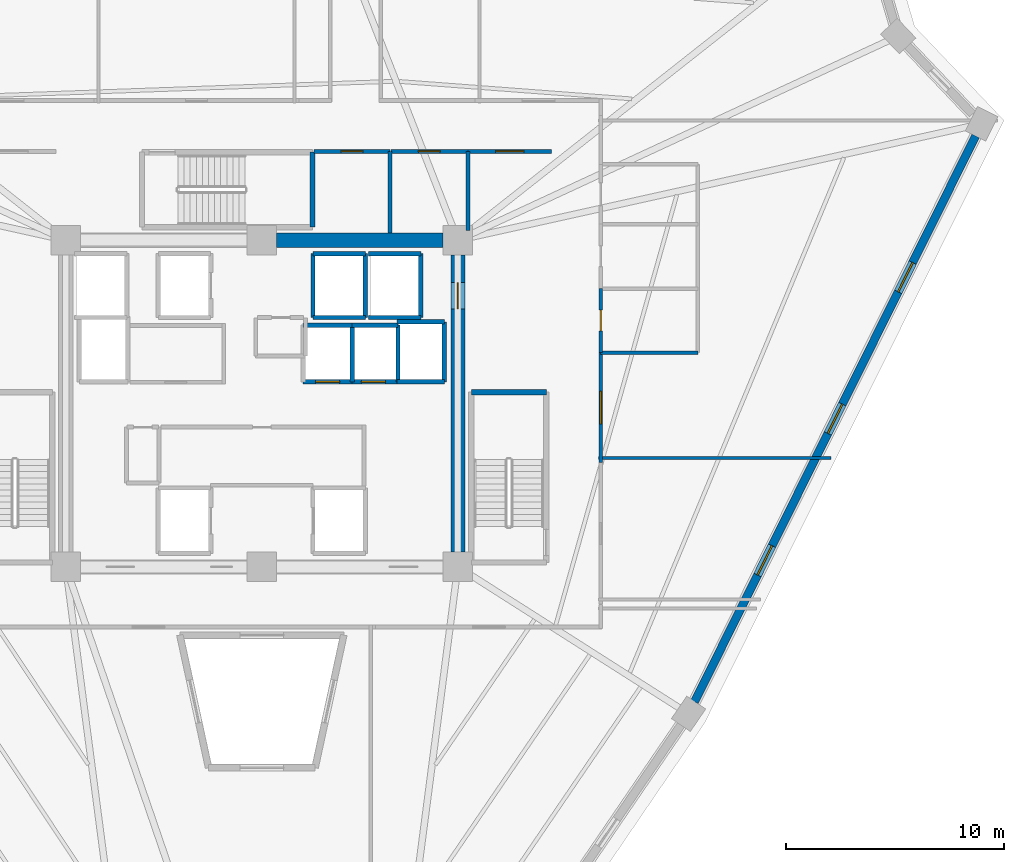
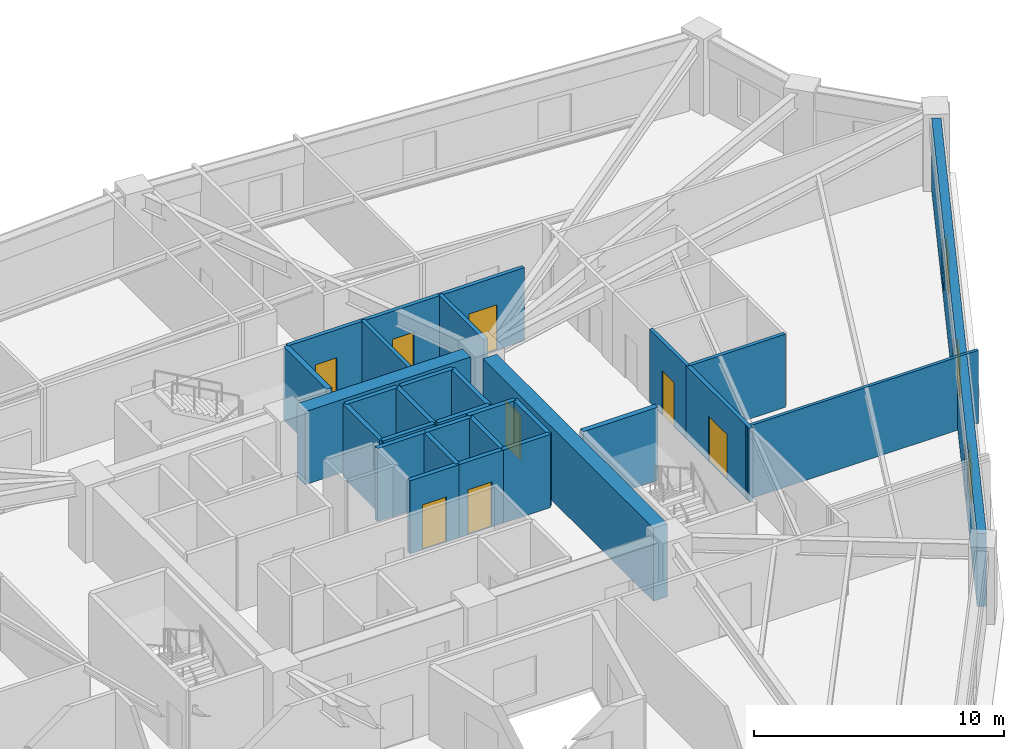
# One storey, part 6 of 9: 30 walls, 8 doors, 3 windows, 11 openings.
"""IFC4 building model written with IfcOpenShell, lengths in metres."""

import ifcopenshell
import ifcopenshell.guid

model = None  # the IFC model being written
_history = None  # IfcOwnerHistory: only IFC2X3 demands one
_inside = {}  # id of a spatial element -> (the spatial element, [elements in it])
_under = {}  # id of a project, library or spatial element -> (it, [spatial elements below it])
_declared = {}  # id of a project -> (the project, [libraries it declares])
_typed = {}  # id of a type object -> (the type object, [elements of that type])
_made_of = {}  # id of a material, layer set ... -> (it, [elements and type objects made of it])


def new_model(schema):
    """Start an empty IFC model of exactly this schema.

    Asked for "IFC4X3", IfcOpenShell would pick the latest addendum, in which some entities
    have other attributes; the version numbers below select the first issue.
    IFC2X3 requires an IfcOwnerHistory on every rooted entity: one is made here for all.
    """
    global model, _history
    if schema == "IFC4X3":
        model = ifcopenshell.file(schema_version=(4, 3, 0, 0))
    else:
        model = ifcopenshell.file(schema=schema)
    _inside.clear()
    _under.clear()
    _declared.clear()
    _typed.clear()
    _made_of.clear()
    _history = None
    if model.schema == "IFC2X3":
        org = make("IfcOrganization", Name="unknown")
        user = make(
            "IfcPersonAndOrganization",
            ThePerson=make("IfcPerson", FamilyName="unknown"),
            TheOrganization=org,
        )
        app = make(
            "IfcApplication",
            ApplicationDeveloper=org,
            Version="unknown",
            ApplicationFullName="unknown",
            ApplicationIdentifier="unknown",
        )
        _history = make(
            "IfcOwnerHistory",
            OwningUser=user,
            OwningApplication=app,
            ChangeAction="ADDED",
            CreationDate=0,
        )
    return model


def make(cls, **values):
    """One entity of the class cls with the attributes given. An attribute that is None is left unset."""
    return model.create_entity(
        cls, **{name: value for name, value in values.items() if value is not None}
    )


def rooted(cls, **values):
    """An entity with a GlobalId (a new one), such as an element, a storey or a relation."""
    return make(cls, GlobalId=ifcopenshell.guid.new(), OwnerHistory=_history, **values)


def si_unit(unit_type, name, prefix=None):
    """IfcSIUnit, for example si_unit("LENGTHUNIT", "METRE", prefix="MILLI")."""
    return make("IfcSIUnit", UnitType=unit_type, Prefix=prefix, Name=name)


def assignment(units):
    """IfcUnitAssignment: the units of a project."""
    return None if units is None else make("IfcUnitAssignment", Units=units)


def point(xyz):
    """IfcCartesianPoint."""
    return None if xyz is None else make("IfcCartesianPoint", Coordinates=xyz)


def direction(xyz):
    """IfcDirection."""
    return None if xyz is None else make("IfcDirection", DirectionRatios=xyz)


def frame(location, z_axis=None, x_axis=None):
    """IfcAxis2Placement3D, a coordinate frame: its origin and axes. An axis left out is left unset."""
    return make(
        "IfcAxis2Placement3D",
        Location=point(location),
        Axis=direction(z_axis),
        RefDirection=direction(x_axis),
    )


def frame_2d(location, x_axis=None):
    """IfcAxis2Placement2D, a coordinate frame in the plane: its origin and x axis."""
    return make(
        "IfcAxis2Placement2D", Location=point(location), RefDirection=direction(x_axis)
    )


def origin():
    """The frame at (0, 0, 0) with its axes left unset."""
    return frame((0.0, 0.0, 0.0))


def place(relative_to, where):
    """IfcLocalPlacement: puts the frame where relative to a parent placement (None: the world)."""
    return make(
        "IfcLocalPlacement", PlacementRelTo=relative_to, RelativePlacement=where
    )


def context(
    kind, dimensions, precision=None, world=None, true_north=None, identifier=None
):
    """IfcGeometricRepresentationContext, for example the 3D "Model" context."""
    return make(
        "IfcGeometricRepresentationContext",
        ContextIdentifier=identifier,
        ContextType=kind,
        CoordinateSpaceDimension=dimensions,
        Precision=precision,
        WorldCoordinateSystem=world,
        TrueNorth=true_north,
    )


def subcontext(parent, identifier, kind, view, scale=None):
    """IfcGeometricRepresentationSubContext, for example "Body" below "Model"."""
    return make(
        "IfcGeometricRepresentationSubContext",
        ContextIdentifier=identifier,
        ContextType=kind,
        ParentContext=parent,
        TargetScale=scale,
        TargetView=view,
    )


def project(units=None, contexts=None):
    """IfcProject with its units and contexts."""
    return rooted(
        "IfcProject",
        Name="project",
        RepresentationContexts=contexts,
        UnitsInContext=assignment(units),
    )


def spatial(cls, under=None, at=None, **own):
    """A site, building, storey or space (cls), placed at a placement, below another one or the project."""
    s = rooted(cls, ObjectPlacement=at, **own)
    if under is not None:
        _under.setdefault(under.id(), (under, []))[1].append(s)
    return s


def profile(cls, at=None, kind="AREA", **sizes):
    """A parametric profile (cls). Its sizes go by their IFC names, for example OverallWidth=200.0."""
    return make(cls, ProfileType=kind, Position=at, **sizes)


def rectangle(**sizes):
    """IfcRectangleProfileDef."""
    return profile("IfcRectangleProfileDef", **sizes)


def extrude(swept, where, along, depth):
    """IfcExtrudedAreaSolid: the profile swept, set in the frame where, extruded along a direction by depth."""
    return make(
        "IfcExtrudedAreaSolid",
        SweptArea=swept,
        Position=where,
        ExtrudedDirection=direction(along),
        Depth=depth,
    )


def shape(context_of_items, identifier, shape_type, items):
    """IfcShapeRepresentation: the items that make up one representation, for example the "Body"."""
    return make(
        "IfcShapeRepresentation",
        ContextOfItems=context_of_items,
        RepresentationIdentifier=identifier,
        RepresentationType=shape_type,
        Items=items,
    )


def source(mapping_origin, context_of_items, identifier, shape_type, items):
    """IfcRepresentationMap: a shape defined once, which mapped items show again and again."""
    return make(
        "IfcRepresentationMap",
        MappingOrigin=mapping_origin,
        MappedRepresentation=shape(context_of_items, identifier, shape_type, items),
    )


def transform(
    local_origin,
    x_axis=None,
    y_axis=None,
    z_axis=None,
    scale=None,
    scale2=None,
    scale3=None,
    uniform=True,
):
    """IfcCartesianTransformationOperator3D, or its non-uniform kind. x_axis, y_axis, z_axis: its Axis1, 2, 3."""
    if uniform:
        return make(
            "IfcCartesianTransformationOperator3D",
            Axis1=direction(x_axis),
            Axis2=direction(y_axis),
            LocalOrigin=point(local_origin),
            Scale=scale,
            Axis3=direction(z_axis),
        )
    return make(
        "IfcCartesianTransformationOperator3DnonUniform",
        Axis1=direction(x_axis),
        Axis2=direction(y_axis),
        LocalOrigin=point(local_origin),
        Scale=scale,
        Axis3=direction(z_axis),
        Scale2=scale2,
        Scale3=scale3,
    )


def mapped(mapping_source, mapping_target):
    """IfcMappedItem: shows the shape of a source again, moved by a transform."""
    return make(
        "IfcMappedItem", MappingSource=mapping_source, MappingTarget=mapping_target
    )


def material(Name=None, Category=None):
    """IfcMaterial."""
    return make("IfcMaterial", Name=Name, Category=Category)


def layer(
    of_material, thickness, ventilated=None, Name=None, Category=None, Priority=None
):
    """IfcMaterialLayer: one layer of a wall or slab, of a material (None: an air gap)."""
    return make(
        "IfcMaterialLayer",
        Material=of_material,
        LayerThickness=thickness,
        IsVentilated=ventilated,
        Name=Name,
        Category=Category,
        Priority=Priority,
    )


def layer_set(layers, Name=None):
    """IfcMaterialLayerSet."""
    return make("IfcMaterialLayerSet", MaterialLayers=layers, LayerSetName=Name)


def made_of(thing, what):
    """Note that an element or type object is made of a material, layer set ...; save() writes the relation."""
    if what is not None:
        _made_of.setdefault(what.id(), (what, []))[1].append(thing)
    return thing


def type_object(cls, material=None, **own):
    """A type object (cls), such as IfcWallType, which elements share."""
    return made_of(rooted(cls, **own), material)


def element(
    cls,
    number,
    at=None,
    inside=None,
    cuts=None,
    type_object=None,
    material=None,
    context=None,
    identifier="Body",
    shape_type=None,
    held_by="IfcProductDefinitionShape",
    body=None,
    shapes=None,
    **own,
):
    """One element of the class cls, such as IfcWall. Its Tag is "e" and its number.

    at: its placement. inside: the storey or other place that contains it. cuts: it is an
    opening in that element (IfcRelVoidsElement). A single representation is given by context,
    identifier, shape_type and body (its items); several are given by shapes. held_by: the class
    of the entity that holds the representations. save() writes the other relations.
    """
    e = rooted(cls, Tag="e%d" % number, ObjectPlacement=at, **own)
    if body is not None:
        shapes = [shape(context, identifier, shape_type, body)]
    if shapes is not None:
        e.Representation = make(held_by, Representations=shapes)
    if inside is not None:
        _inside.setdefault(inside.id(), (inside, []))[1].append(e)
    if cuts is not None:
        rooted(
            "IfcRelVoidsElement", RelatingBuildingElement=cuts, RelatedOpeningElement=e
        )
    if type_object is not None:
        _typed.setdefault(type_object.id(), (type_object, []))[1].append(e)
    return made_of(e, material)


def fill(opening, filler):
    """IfcRelFillsElement: the door or window that sits in an opening."""
    return rooted(
        "IfcRelFillsElement",
        RelatingOpeningElement=opening,
        RelatedBuildingElement=filler,
    )


def aggregate(whole, parts):
    """IfcRelAggregates: a whole, such as a stair, and the parts it consists of."""
    return rooted("IfcRelAggregates", RelatingObject=whole, RelatedObjects=parts)


def save(model, path):
    """Write the relations noted so far, then the file.

    IfcRelAggregates (storeys below a building ...), IfcRelContainedInSpatialStructure (elements
    in a storey), IfcRelDefinesByType, IfcRelAssociatesMaterial and IfcRelDeclares: one each for
    every whole, place, type object, material and project.
    """
    for whole, parts in _under.values():
        aggregate(whole, parts)
    for where, things in _inside.values():
        rooted(
            "IfcRelContainedInSpatialStructure",
            RelatedElements=things,
            RelatingStructure=where,
        )
    for kind, things in _typed.values():
        rooted("IfcRelDefinesByType", RelatedObjects=things, RelatingType=kind)
    for what, things in _made_of.values():
        rooted("IfcRelAssociatesMaterial", RelatedObjects=things, RelatingMaterial=what)
    for by, libraries in _declared.values():
        rooted("IfcRelDeclares", RelatingContext=by, RelatedDefinitions=libraries)
    model.write(path)


model = new_model("IFC4")

# Units and contexts
model_context = context("Model", 3, precision=1e-05, world=origin(), true_north=direction((0.0, 1.0)))
body_context = subcontext(model_context, "Body", "Model", "MODEL_VIEW")
ifc_project = project(units=[si_unit("LENGTHUNIT", "METRE"), si_unit("AREAUNIT", "SQUARE_METRE"), si_unit("VOLUMEUNIT", "CUBIC_METRE"), si_unit("PLANEANGLEUNIT", "RADIAN"), si_unit("MASSUNIT", "GRAM", prefix="KILO")], contexts=[model_context])

# Site, building, storey
site_placement = place(None, origin())
site = spatial("IfcSite", under=ifc_project, at=site_placement, CompositionType="ELEMENT")
building_placement = place(site_placement, origin())
building = spatial("IfcBuilding", under=site, at=building_placement, Name="Liaohun Quay Tower", CompositionType="ELEMENT")
storey_placement = place(building_placement, frame((0.0, 0.0, 224.25)))
storey = spatial("IfcBuildingStorey", under=building, at=storey_placement, Name="L58", CompositionType="ELEMENT", Elevation=224.25)

# Wall
ifc_material_1 = material(Name="Concrete C55", Category="concrete")
ifc_layer_1 = layer(ifc_material_1, 0.64990234375, Name="Concrete C55", Category="concrete")
ifc_layer_set_1 = layer_set([ifc_layer_1], Name="Concrete C55")
wall_type_1 = type_object("IfcWallType", Name="WAL-COR-Z3", PredefinedType="SHEAR", material=ifc_layer_set_1)
wall_1_placement = place(storey_placement, frame((60.675048828125, 61.5, 0.0), z_axis=(0.0, 0.0, 1.0), x_axis=(1.0, 0.0, 0.0)))
element("IfcWall", 1, at=wall_1_placement, inside=storey, type_object=wall_type_1, Name="L58 Central Core Shear Wall N-E", PredefinedType="SHEAR", context=body_context, shape_type="SweptSolid", body=[
    extrude(rectangle(XDim=7.64990234375, YDim=0.64990234375, at=frame_2d((3.824951171875, 0.0))), origin(), (0.0, 0.0, 1.0), 3.570068359375),
])

# Wall, opening, door
wall_2_placement = place(storey_placement, frame((69.0, 60.824951171875, 0.0), z_axis=(0.0, 0.0, 1.0), x_axis=(0.0, -1.0, 0.0)))
wall_2 = element("IfcWall", 2, at=wall_2_placement, inside=storey, type_object=wall_type_1, Name="L58 Central Core Shear Wall E", PredefinedType="SHEAR", context=body_context, shape_type="SweptSolid", body=[
    extrude(rectangle(XDim=13.64990234375, YDim=0.64990234375, at=frame_2d((6.824951171875, 0.0))), origin(), (0.0, 0.0, 1.0), 3.570068359375),
])
shared_shape_1 = source(origin(), body_context, "Body", "SweptSolid", [
    extrude(rectangle(XDim=1.199951171875, YDim=2.199951171875, at=frame_2d((0.60009765625, 1.10009765625))), frame((0.0, 0.3349609375, 0.0), z_axis=(0.0, -1.0, 0.0), x_axis=(1.0, 0.0, 0.0)), (0.0, 0.0, 1.0), 0.669921875),
])
opening_1_placement = place(wall_2_placement, frame((1.27490234375, 0.0, 0.0)))
opening_1 = element("IfcOpeningElement", 3, at=opening_1_placement, cuts=wall_2, Name="Opening SD1", PredefinedType="OPENING", context=body_context, shape_type="MappedRepresentation", body=[
    mapped(shared_shape_1, transform((0.0, 0.0, 0.0), x_axis=(1.0, 0.0, 0.0), y_axis=(0.0, 1.0, 0.0), z_axis=(0.0, 0.0, 1.0), scale=1.0)),
])
ifc_material_2 = material(Name="Galvanised steel fire door", Category="steel")
door_type_1 = type_object("IfcDoorType", Name="DOR-STR-1200", OperationType="NOTDEFINED", PredefinedType="DOOR", material=ifc_material_2)
shared_shape_2 = source(origin(), body_context, "Body", "SweptSolid", [
    extrude(rectangle(XDim=1.199951171875, YDim=2.199951171875, at=frame_2d((0.60009765625, 1.10009765625))), frame((0.0, 0.02490234375, 0.0), z_axis=(0.0, -1.0, 0.0), x_axis=(1.0, 0.0, 0.0)), (0.0, 0.0, 1.0), 0.050048828125),
])
door_1_placement = place(opening_1_placement, origin())
door_1 = element("IfcDoor", 4, at=door_1_placement, inside=storey, type_object=door_type_1, Name="L58 North-East Core Lobby Smokeproof Door", OperationType="SINGLE_SWING_LEFT", OverallHeight=2.199951171875, OverallWidth=1.199951171875, PredefinedType="DOOR", context=body_context, shape_type="MappedRepresentation", body=[
    mapped(shared_shape_2, transform((0.0, 0.0, 0.0), x_axis=(1.0, 0.0, 0.0), y_axis=(0.0, 1.0, 0.0), z_axis=(0.0, 0.0, 1.0), scale=1.0)),
])
fill(opening_1, door_1)

# Wall, openings, windows
ifc_material_3 = material(Name="Precast concrete C50 insulated sandwich", Category="concrete")
ifc_layer_2 = layer(ifc_material_3, 0.3798828125, Name="Precast concrete C50 insulated sandwich", Category="concrete")
ifc_layer_set_2 = layer_set([ifc_layer_2], Name="Precast concrete C50 insulated sandwich")
wall_type_2 = type_object("IfcWallType", Name="WAL-EXT-Z34", PredefinedType="SOLIDWALL", material=ifc_layer_set_2)
wall_3_placement = place(storey_placement, frame((79.866943359375, 40.304931640625, 0.0), z_axis=(0.0, 0.0, 1.0), x_axis=(0.444873284972, 0.895593524049, 0.0)))
wall_3 = element("IfcWall", 5, at=wall_3_placement, inside=storey, type_object=wall_type_2, Name="L58 Brutalist Precast Pier Wall 03", PredefinedType="SOLIDWALL", context=body_context, shape_type="SweptSolid", body=[
    extrude(rectangle(XDim=29.019775390625, YDim=0.3798828125, at=frame_2d((14.509765625, 0.0))), origin(), (0.0, 0.0, 1.0), 3.570068359375),
])
shared_shape_3 = source(origin(), body_context, "Body", "SweptSolid", [
    extrude(rectangle(XDim=1.5, YDim=1.89990234375, at=frame_2d((0.75, 0.949951171875))), frame((0.0, 0.199951171875, 0.0), z_axis=(0.0, -1.0, 0.0), x_axis=(1.0, 0.0, 0.0)), (0.0, 0.0, 1.0), 0.39990234375),
])
opening_2_placement = place(wall_3_placement, frame((6.5048828125, 0.0, 0.550048828125)))
opening_2 = element("IfcOpeningElement", 6, at=opening_2_placement, cuts=wall_3, Name="Opening W03", PredefinedType="OPENING", context=body_context, shape_type="MappedRepresentation", body=[
    mapped(shared_shape_3, transform((0.0, 0.0, 0.0), x_axis=(1.0, 0.0, 0.0), y_axis=(0.0, 1.0, 0.0), z_axis=(0.0, 0.0, 1.0), scale=1.0)),
])
opening_3_placement = place(wall_3_placement, frame((13.760009765625, 0.0, 0.550048828125)))
opening_3 = element("IfcOpeningElement", 7, at=opening_3_placement, cuts=wall_3, Name="Opening W03", PredefinedType="OPENING", context=body_context, shape_type="MappedRepresentation", body=[
    mapped(shared_shape_3, transform((0.0, 0.0, 0.0), x_axis=(1.0, 0.0, 0.0), y_axis=(0.0, 1.0, 0.0), z_axis=(0.0, 0.0, 1.0), scale=1.0)),
])
opening_4_placement = place(wall_3_placement, frame((21.014892578125, 0.0, 0.550048828125)))
opening_4 = element("IfcOpeningElement", 8, at=opening_4_placement, cuts=wall_3, Name="Opening W03", PredefinedType="OPENING", context=body_context, shape_type="MappedRepresentation", body=[
    mapped(shared_shape_3, transform((0.0, 0.0, 0.0), x_axis=(1.0, 0.0, 0.0), y_axis=(0.0, 1.0, 0.0), z_axis=(0.0, 0.0, 1.0), scale=1.0)),
])
ifc_material_4 = material(Name="Triple Low-E argon glazing in thermally broken aluminium", Category="aluminium")
window_type = type_object("IfcWindowType", Name="WIN-PUN-Z3", PartitioningType="DOUBLE_PANEL_VERTICAL", PredefinedType="WINDOW", material=ifc_material_4)
shared_shape_4 = source(origin(), body_context, "Body", "SweptSolid", [
    extrude(rectangle(XDim=1.5, YDim=1.89990234375, at=frame_2d((0.75, 0.949951171875))), frame((0.0, 0.030029296875, 0.0), z_axis=(0.0, -1.0, 0.0), x_axis=(1.0, 0.0, 0.0)), (0.0, 0.0, 1.0), 0.06005859375),
])
window_1_placement = place(opening_2_placement, origin())
window_1 = element("IfcWindow", 9, at=window_1_placement, inside=storey, type_object=window_type, Name="L58 Recessed Cold-Climate Punched Window 03-1", OverallHeight=1.89990234375, OverallWidth=1.5, PartitioningType="DOUBLE_PANEL_VERTICAL", PredefinedType="WINDOW", context=body_context, shape_type="MappedRepresentation", body=[
    mapped(shared_shape_4, transform((0.0, 0.0, 0.0), x_axis=(1.0, 0.0, 0.0), y_axis=(0.0, 1.0, 0.0), z_axis=(0.0, 0.0, 1.0), scale=1.0)),
])
fill(opening_2, window_1)
window_2_placement = place(opening_3_placement, origin())
window_2 = element("IfcWindow", 10, at=window_2_placement, inside=storey, type_object=window_type, Name="L58 Recessed Cold-Climate Punched Window 03-2", OverallHeight=1.89990234375, OverallWidth=1.5, PartitioningType="DOUBLE_PANEL_VERTICAL", PredefinedType="WINDOW", context=body_context, shape_type="MappedRepresentation", body=[
    mapped(shared_shape_4, transform((0.0, 0.0, 0.0), x_axis=(1.0, 0.0, 0.0), y_axis=(0.0, 1.0, 0.0), z_axis=(0.0, 0.0, 1.0), scale=1.0)),
])
fill(opening_3, window_2)
window_3_placement = place(opening_4_placement, origin())
window_3 = element("IfcWindow", 11, at=window_3_placement, inside=storey, type_object=window_type, Name="L58 Recessed Cold-Climate Punched Window 03-3", OverallHeight=1.89990234375, OverallWidth=1.5, PartitioningType="DOUBLE_PANEL_VERTICAL", PredefinedType="WINDOW", context=body_context, shape_type="MappedRepresentation", body=[
    mapped(shared_shape_4, transform((0.0, 0.0, 0.0), x_axis=(1.0, 0.0, 0.0), y_axis=(0.0, 1.0, 0.0), z_axis=(0.0, 0.0, 1.0), scale=1.0)),
])
fill(opening_4, window_3)

# Wall, opening, door
ifc_material_5 = material(Name="Autoclaved aerated concrete blockwork", Category="masonry")
ifc_layer_3 = layer(ifc_material_5, 0.179931640625, Name="Autoclaved aerated concrete blockwork", Category="masonry")
ifc_layer_set_3 = layer_set([ifc_layer_3], Name="Autoclaved aerated concrete blockwork")
wall_type_3 = type_object("IfcWallType", Name="WAL-PRT-COR", PredefinedType="PARTITIONING", material=ifc_layer_set_3)
wall_4_placement = place(storey_placement, frame((62.389892578125, 65.580078125, 0.0), z_axis=(0.0, 0.0, 1.0), x_axis=(1.0, 0.0, 0.0)))
wall_4 = element("IfcWall", 12, at=wall_4_placement, inside=storey, type_object=wall_type_3, Name="L58 Interior Partition Wall 008", PredefinedType="PARTITIONING", context=body_context, shape_type="SweptSolid", body=[
    extrude(rectangle(XDim=3.489990234375, YDim=0.179931640625, at=frame_2d((1.7451171875, 0.0))), origin(), (0.0, 0.0, 1.0), 3.570068359375),
])
shared_shape_5 = source(origin(), body_context, "Body", "SweptSolid", [
    extrude(rectangle(XDim=1.0, YDim=2.199951171875, at=frame_2d((0.5, 1.10009765625))), frame((0.0, 0.099853515625, 0.0), z_axis=(0.0, -1.0, 0.0), x_axis=(1.0, 0.0, 0.0)), (0.0, 0.0, 1.0), 0.199951171875),
])
opening_5_placement = place(wall_4_placement, frame((1.2451171875, 0.0, 0.0)))
opening_5 = element("IfcOpeningElement", 13, at=opening_5_placement, cuts=wall_4, Name="Opening OD1", PredefinedType="OPENING", context=body_context, shape_type="MappedRepresentation", body=[
    mapped(shared_shape_5, transform((0.0, 0.0, 0.0), x_axis=(1.0, 0.0, 0.0), y_axis=(0.0, 1.0, 0.0), z_axis=(0.0, 0.0, 1.0), scale=1.0)),
])
ifc_material_6 = material(Name="Solid-core oak veneer timber leaf in steel frame", Category="steel")
door_type_2 = type_object("IfcDoorType", Name="DOR-OFF-1000", OperationType="NOTDEFINED", PredefinedType="DOOR", material=ifc_material_6)
shared_shape_6 = source(origin(), body_context, "Body", "SweptSolid", [
    extrude(rectangle(XDim=1.0, YDim=2.199951171875, at=frame_2d((0.5, 1.10009765625))), frame((0.0, 0.02490234375, 0.0), z_axis=(0.0, -1.0, 0.0), x_axis=(1.0, 0.0, 0.0)), (0.0, 0.0, 1.0), 0.050048828125),
])
door_2_placement = place(opening_5_placement, origin())
door_2 = element("IfcDoor", 14, at=door_2_placement, inside=storey, type_object=door_type_2, Name="L58 North-East Archive Store Door", OperationType="SINGLE_SWING_RIGHT", OverallHeight=2.199951171875, OverallWidth=1.0, PredefinedType="DOOR", context=body_context, shape_type="MappedRepresentation", body=[
    mapped(shared_shape_6, transform((0.0, 0.0, 0.0), x_axis=(1.0, 0.0, 0.0), y_axis=(0.0, 1.0, 0.0), z_axis=(0.0, 0.0, 1.0), scale=1.0)),
])
fill(opening_5, door_2)

wall_5_placement = place(storey_placement, frame((65.919921875, 65.580078125, 0.0), z_axis=(0.0, 0.0, 1.0), x_axis=(1.0, 0.0, 0.0)))
wall_5 = element("IfcWall", 15, at=wall_5_placement, inside=storey, type_object=wall_type_3, Name="L58 Interior Partition Wall 009", PredefinedType="PARTITIONING", context=body_context, shape_type="SweptSolid", body=[
    extrude(rectangle(XDim=3.5400390625, YDim=0.179931640625, at=frame_2d((1.77001953125, 0.0))), origin(), (0.0, 0.0, 1.0), 3.570068359375),
])
opening_6_placement = place(wall_5_placement, frame((1.27001953125, 0.0, 0.0)))
opening_6 = element("IfcOpeningElement", 16, at=opening_6_placement, cuts=wall_5, Name="Opening OD1", PredefinedType="OPENING", context=body_context, shape_type="MappedRepresentation", body=[
    mapped(shared_shape_5, transform((0.0, 0.0, 0.0), x_axis=(1.0, 0.0, 0.0), y_axis=(0.0, 1.0, 0.0), z_axis=(0.0, 0.0, 1.0), scale=1.0)),
])
door_3_placement = place(opening_6_placement, origin())
door_3 = element("IfcDoor", 17, at=door_3_placement, inside=storey, type_object=door_type_2, Name="L58 North-East Pantry Room Door", OperationType="SINGLE_SWING_LEFT", OverallHeight=2.199951171875, OverallWidth=1.0, PredefinedType="DOOR", context=body_context, shape_type="MappedRepresentation", body=[
    mapped(shared_shape_6, transform((0.0, 0.0, 0.0), x_axis=(1.0, 0.0, 0.0), y_axis=(0.0, 1.0, 0.0), z_axis=(0.0, 0.0, 1.0), scale=1.0)),
])
fill(opening_6, door_3)

wall_6_placement = place(storey_placement, frame((69.4599609375, 65.580078125, 0.0), z_axis=(0.0, 0.0, 1.0), x_axis=(1.0, 0.0, 0.0)))
wall_6 = element("IfcWall", 18, at=wall_6_placement, inside=storey, type_object=wall_type_3, Name="L58 Interior Partition Wall 011", PredefinedType="PARTITIONING", context=body_context, shape_type="SweptSolid", body=[
    extrude(rectangle(XDim=3.840087890625, YDim=0.179931640625, at=frame_2d((1.919921875, 0.0))), origin(), (0.0, 0.0, 1.0), 3.570068359375),
])
shared_shape_7 = source(origin(), body_context, "Body", "SweptSolid", [
    extrude(rectangle(XDim=1.300048828125, YDim=2.199951171875, at=frame_2d((0.64990234375, 1.10009765625))), frame((0.0, 0.099853515625, 0.0), z_axis=(0.0, -1.0, 0.0), x_axis=(1.0, 0.0, 0.0)), (0.0, 0.0, 1.0), 0.199951171875),
])
opening_7_placement = place(wall_6_placement, frame((1.27001953125, 0.0, 0.0)))
opening_7 = element("IfcOpeningElement", 19, at=opening_7_placement, cuts=wall_6, Name="Opening FD1", PredefinedType="OPENING", context=body_context, shape_type="MappedRepresentation", body=[
    mapped(shared_shape_7, transform((0.0, 0.0, 0.0), x_axis=(1.0, 0.0, 0.0), y_axis=(0.0, 1.0, 0.0), z_axis=(0.0, 0.0, 1.0), scale=1.0)),
])
ifc_material_7 = material(Name="Galvanised steel smokeproof fire door", Category="steel")
door_type_3 = type_object("IfcDoorType", Name="DOR-FFL-1300", OperationType="NOTDEFINED", PredefinedType="DOOR", material=ifc_material_7)
shared_shape_8 = source(origin(), body_context, "Body", "SweptSolid", [
    extrude(rectangle(XDim=1.300048828125, YDim=2.199951171875, at=frame_2d((0.64990234375, 1.10009765625))), frame((0.0, 0.02490234375, 0.0), z_axis=(0.0, -1.0, 0.0), x_axis=(1.0, 0.0, 0.0)), (0.0, 0.0, 1.0), 0.050048828125),
])
door_4_placement = place(opening_7_placement, origin())
door_4 = element("IfcDoor", 20, at=door_4_placement, inside=storey, type_object=door_type_3, Name="L58 East Core Vestibule Door", OperationType="SINGLE_SWING_LEFT", OverallHeight=2.199951171875, OverallWidth=1.300048828125, PredefinedType="DOOR", context=body_context, shape_type="MappedRepresentation", body=[
    mapped(shared_shape_8, transform((0.0, 0.0, 0.0), x_axis=(1.0, 0.0, 0.0), y_axis=(0.0, 1.0, 0.0), z_axis=(0.0, 0.0, 1.0), scale=1.0)),
])
fill(opening_7, door_4)

wall_7_placement = place(storey_placement, frame((75.56005859375, 56.340087890625, 0.0), z_axis=(0.0, 0.0, 1.0), x_axis=(0.0, -1.0, 0.0)))
wall_7 = element("IfcWall", 21, at=wall_7_placement, inside=storey, type_object=wall_type_3, Name="L58 Interior Partition Wall 012", PredefinedType="PARTITIONING", context=body_context, shape_type="SweptSolid", body=[
    extrude(rectangle(XDim=5.05517578125, YDim=0.179931640625, at=frame_2d((2.527587890625, 0.0))), origin(), (0.0, 0.0, 1.0), 3.570068359375),
])
shared_shape_9 = source(origin(), body_context, "Body", "SweptSolid", [
    extrude(rectangle(XDim=1.5, YDim=2.199951171875, at=frame_2d((0.75, 1.10009765625))), frame((0.0, 0.099853515625, 0.0), z_axis=(0.0, -1.0, 0.0), x_axis=(1.0, 0.0, 0.0)), (0.0, 0.0, 1.0), 0.199951171875),
])
opening_8_placement = place(wall_7_placement, frame((1.778076171875, 0.0, 0.0)))
opening_8 = element("IfcOpeningElement", 22, at=opening_8_placement, cuts=wall_7, Name="Opening OD2", PredefinedType="OPENING", context=body_context, shape_type="MappedRepresentation", body=[
    mapped(shared_shape_9, transform((0.0, 0.0, 0.0), x_axis=(1.0, 0.0, 0.0), y_axis=(0.0, 1.0, 0.0), z_axis=(0.0, 0.0, 1.0), scale=1.0)),
])
ifc_material_8 = material(Name="Acoustic oak veneer double door")
door_type_4 = type_object("IfcDoorType", Name="DOR-OFF-1500", OperationType="DOUBLE_DOOR_SINGLE_SWING", PredefinedType="DOOR", material=ifc_material_8)
shared_shape_10 = source(origin(), body_context, "Body", "SweptSolid", [
    extrude(rectangle(XDim=1.5, YDim=2.199951171875, at=frame_2d((0.75, 1.10009765625))), frame((0.0, 0.02490234375, 0.0), z_axis=(0.0, -1.0, 0.0), x_axis=(1.0, 0.0, 0.0)), (0.0, 0.0, 1.0), 0.050048828125),
])
door_5_placement = place(opening_8_placement, origin())
door_5 = element("IfcDoor", 23, at=door_5_placement, inside=storey, type_object=door_type_4, Name="L58 Staff Daycare Nursery 01 Door", OperationType="DOUBLE_DOOR_SINGLE_SWING", OverallHeight=2.199951171875, OverallWidth=1.5, PredefinedType="DOOR", context=body_context, shape_type="MappedRepresentation", body=[
    mapped(shared_shape_10, transform((0.0, 0.0, 0.0), x_axis=(1.0, 0.0, 0.0), y_axis=(0.0, 1.0, 0.0), z_axis=(0.0, 0.0, 1.0), scale=1.0)),
])
fill(opening_8, door_5)

# Walls
wall_8_placement = place(storey_placement, frame((65.8798828125, 61.824951171875, 0.0), z_axis=(0.0, 0.0, 1.0), x_axis=(0.0, 1.0, 0.0)))
element("IfcWall", 24, at=wall_8_placement, inside=storey, type_object=wall_type_3, Name="L58 Interior Partition Wall 035", PredefinedType="PARTITIONING", context=body_context, shape_type="SweptSolid", body=[
    extrude(rectangle(XDim=3.755126953125, YDim=0.179931640625, at=frame_2d((1.87744140625, 0.0))), origin(), (0.0, 0.0, 1.0), 3.570068359375),
])
wall_9_placement = place(storey_placement, frame((69.4599609375, 61.949951171875, 0.0), z_axis=(0.0, 0.0, 1.0), x_axis=(0.0, 1.0, 0.0)))
element("IfcWall", 25, at=wall_9_placement, inside=storey, type_object=wall_type_3, Name="L58 Interior Partition Wall 036", PredefinedType="PARTITIONING", context=body_context, shape_type="SweptSolid", body=[
    extrude(rectangle(XDim=3.630126953125, YDim=0.179931640625, at=frame_2d((1.81494140625, 0.0))), origin(), (0.0, 0.0, 1.0), 3.570068359375),
])
ifc_material_9 = material(Name="Gypsum board on twin steel studs", Category="steel")
ifc_layer_4 = layer(ifc_material_9, 0.139892578125, Name="Gypsum board on twin steel studs", Category="steel")
ifc_layer_set_4 = layer_set([ifc_layer_4], Name="Gypsum board on twin steel studs")
wall_type_4 = type_object("IfcWallType", Name="WAL-PRT-OFF", PredefinedType="PARTITIONING", material=ifc_layer_set_4)
wall_10_placement = place(storey_placement, frame((75.4599609375, 51.5, 0.0), z_axis=(0.0, 0.0, 1.0), x_axis=(1.0, 0.0, 0.0)))
element("IfcWall", 26, at=wall_10_placement, inside=storey, type_object=wall_type_4, Name="L58 Interior Partition Wall 052", PredefinedType="PARTITIONING", context=body_context, shape_type="SweptSolid", body=[
    extrude(rectangle(XDim=10.671142578125, YDim=0.139892578125, at=frame_2d((5.33544921875, 0.0))), origin(), (0.0, 0.0, 1.0), 3.570068359375),
])

# Wall, opening, door
ifc_material_10 = material(Name="Moisture-resistant masonry blockwork", Category="masonry")
ifc_layer_5 = layer(ifc_material_10, 0.159912109375, Name="Moisture-resistant masonry blockwork", Category="masonry")
ifc_layer_set_5 = layer_set([ifc_layer_5], Name="Moisture-resistant masonry blockwork")
wall_type_5 = type_object("IfcWallType", Name="WAL-PRT-WET", PredefinedType="PARTITIONING", material=ifc_layer_set_5)
wall_11_placement = place(storey_placement, frame((75.56005859375, 56.340087890625, 0.0), z_axis=(0.0, 0.0, 1.0), x_axis=(0.0, 1.0, 0.0)))
wall_11 = element("IfcWall", 27, at=wall_11_placement, inside=storey, type_object=wall_type_5, Name="L58 Interior Partition Wall 005", PredefinedType="PARTITIONING", context=body_context, shape_type="SweptSolid", body=[
    extrude(rectangle(XDim=2.93994140625, YDim=0.159912109375, at=frame_2d((1.469970703125, 0.0))), origin(), (0.0, 0.0, 1.0), 3.570068359375),
])
shared_shape_11 = source(origin(), body_context, "Body", "SweptSolid", [
    extrude(rectangle(XDim=0.949951171875, YDim=2.14990234375, at=frame_2d((0.47509765625, 1.074951171875))), frame((0.0, 0.08984375, 0.0), z_axis=(0.0, -1.0, 0.0), x_axis=(1.0, 0.0, 0.0)), (0.0, 0.0, 1.0), 0.179931640625),
])
opening_9_placement = place(wall_11_placement, frame((0.9951171875, 0.0, 0.0)))
opening_9 = element("IfcOpeningElement", 28, at=opening_9_placement, cuts=wall_11, Name="Opening WD1", PredefinedType="OPENING", context=body_context, shape_type="MappedRepresentation", body=[
    mapped(shared_shape_11, transform((0.0, 0.0, 0.0), x_axis=(1.0, 0.0, 0.0), y_axis=(0.0, 1.0, 0.0), z_axis=(0.0, 0.0, 1.0), scale=1.0)),
])
ifc_material_11 = material(Name="Moisture-resistant laminate timber leaf", Category="wood")
door_type_5 = type_object("IfcDoorType", Name="DOR-WC-950", OperationType="NOTDEFINED", PredefinedType="DOOR", material=ifc_material_11)
shared_shape_12 = source(origin(), body_context, "Body", "SweptSolid", [
    extrude(rectangle(XDim=0.949951171875, YDim=2.14990234375, at=frame_2d((0.47509765625, 1.074951171875))), frame((0.0, 0.02490234375, 0.0), z_axis=(0.0, -1.0, 0.0), x_axis=(1.0, 0.0, 0.0)), (0.0, 0.0, 1.0), 0.050048828125),
])
door_6_placement = place(opening_9_placement, origin())
door_6 = element("IfcDoor", 29, at=door_6_placement, inside=storey, type_object=door_type_5, Name="L58 Male Restroom WC Door", OperationType="SINGLE_SWING_LEFT", OverallHeight=2.14990234375, OverallWidth=0.949951171875, PredefinedType="DOOR", context=body_context, shape_type="MappedRepresentation", body=[
    mapped(shared_shape_12, transform((0.0, 0.0, 0.0), x_axis=(1.0, 0.0, 0.0), y_axis=(0.0, 1.0, 0.0), z_axis=(0.0, 0.0, 1.0), scale=1.0)),
])
fill(opening_9, door_6)

# Walls
wall_12_placement = place(storey_placement, frame((75.56005859375, 56.340087890625, 0.0), z_axis=(0.0, 0.0, 1.0), x_axis=(1.0, 0.0, 0.0)))
element("IfcWall", 30, at=wall_12_placement, inside=storey, type_object=wall_type_5, Name="L58 Interior Partition Wall 031", PredefinedType="PARTITIONING", context=body_context, shape_type="SweptSolid", body=[
    extrude(rectangle(XDim=4.4599609375, YDim=0.159912109375, at=frame_2d((2.22998046875, 0.0))), origin(), (0.0, 0.0, 1.0), 3.570068359375),
])
ifc_material_12 = material(Name="Concrete C50", Category="concrete")
ifc_layer_6 = layer(ifc_material_12, 0.239990234375, Name="Concrete C50", Category="concrete")
ifc_layer_set_6 = layer_set([ifc_layer_6], Name="Concrete C50")
wall_type_6 = type_object("IfcWallType", Name="WAL-SHF-200", PredefinedType="SOLIDWALL", material=ifc_layer_set_6)
for number, where, z_axis, x_axis, name in (
    (31, (73.06005859375, 54.52001953125, 0.0), (0.0, 0.0, 1.0), (-1.0, 0.0, 0.0), "L58 Stairwell ST-2 Structural Core Wall N"),
    (32, (62.320068359375, 62.10009765625, 0.0), (0.0, 0.0, 1.0), (0.0, 1.0, 0.0), "L58 Stairwell ST-3 Structural Core Wall E"),
):
    element("IfcWall", number, at=place(storey_placement, frame(where, z_axis=z_axis, x_axis=x_axis)), inside=storey, type_object=wall_type_6, Name=name, PredefinedType="SOLIDWALL", context=body_context, shape_type="SweptSolid", body=[
        extrude(rectangle(XDim=3.43994140625, YDim=0.239990234375, at=frame_2d((1.719970703125, 0.0))), origin(), (0.0, 0.0, 1.0), 3.570068359375),
    ])
wall_13_placement = place(storey_placement, frame((62.35009765625, 57.949951171875, 0.0), z_axis=(0.0, 0.0, 1.0), x_axis=(1.0, 0.0, 0.0)))
element("IfcWall", 33, at=wall_13_placement, inside=storey, type_object=wall_type_6, Name="L58 Lift OB-01 Hoistway Wall S", PredefinedType="SOLIDWALL", context=body_context, shape_type="SweptSolid", body=[
    extrude(rectangle(XDim=2.39990234375, YDim=0.199951171875, at=frame_2d((1.199951171875, 0.0))), origin(), (0.0, 0.0, 1.0), 3.570068359375),
])
wall_14_placement = place(storey_placement, frame((64.75, 57.949951171875, 0.0), z_axis=(0.0, 0.0, 1.0), x_axis=(0.0, 1.0, 0.0)))
element("IfcWall", 34, at=wall_14_placement, inside=storey, type_object=wall_type_6, Name="L58 Lift OB-01 Hoistway Wall E", PredefinedType="SOLIDWALL", context=body_context, shape_type="SweptSolid", body=[
    extrude(rectangle(XDim=2.929931640625, YDim=0.199951171875, at=frame_2d((1.46484375, 0.0))), origin(), (0.0, 0.0, 1.0), 3.570068359375),
])
wall_15_placement = place(storey_placement, frame((64.75, 60.8798828125, 0.0), z_axis=(0.0, 0.0, 1.0), x_axis=(-1.0, 0.0, 0.0)))
element("IfcWall", 35, at=wall_15_placement, inside=storey, type_object=wall_type_6, Name="L58 Lift OB-01 Hoistway Wall N", PredefinedType="SOLIDWALL", context=body_context, shape_type="SweptSolid", body=[
    extrude(rectangle(XDim=2.39990234375, YDim=0.199951171875, at=frame_2d((1.199951171875, 0.0))), origin(), (0.0, 0.0, 1.0), 3.570068359375),
])
wall_16_placement = place(storey_placement, frame((62.35009765625, 60.8798828125, 0.0), z_axis=(0.0, 0.0, 1.0), x_axis=(0.0, -1.0, 0.0)))
element("IfcWall", 36, at=wall_16_placement, inside=storey, type_object=wall_type_6, Name="L58 Lift OB-01 Hoistway Wall W", PredefinedType="SOLIDWALL", context=body_context, shape_type="SweptSolid", body=[
    extrude(rectangle(XDim=2.929931640625, YDim=0.199951171875, at=frame_2d((1.46484375, 0.0))), origin(), (0.0, 0.0, 1.0), 3.570068359375),
])
wall_17_placement = place(storey_placement, frame((64.89990234375, 57.949951171875, 0.0), z_axis=(0.0, 0.0, 1.0), x_axis=(1.0, 0.0, 0.0)))
element("IfcWall", 37, at=wall_17_placement, inside=storey, type_object=wall_type_6, Name="L58 Lift OB-02 Hoistway Wall S", PredefinedType="SOLIDWALL", context=body_context, shape_type="SweptSolid", body=[
    extrude(rectangle(XDim=2.400146484375, YDim=0.199951171875, at=frame_2d((1.2001953125, 0.0))), origin(), (0.0, 0.0, 1.0), 3.570068359375),
])
wall_18_placement = place(storey_placement, frame((67.300048828125, 57.949951171875, 0.0), z_axis=(0.0, 0.0, 1.0), x_axis=(0.0, 1.0, 0.0)))
element("IfcWall", 38, at=wall_18_placement, inside=storey, type_object=wall_type_6, Name="L58 Lift OB-02 Hoistway Wall E", PredefinedType="SOLIDWALL", context=body_context, shape_type="SweptSolid", body=[
    extrude(rectangle(XDim=2.929931640625, YDim=0.199951171875, at=frame_2d((1.46484375, 0.0))), origin(), (0.0, 0.0, 1.0), 3.570068359375),
])
wall_19_placement = place(storey_placement, frame((67.300048828125, 60.8798828125, 0.0), z_axis=(0.0, 0.0, 1.0), x_axis=(-1.0, 0.0, 0.0)))
element("IfcWall", 39, at=wall_19_placement, inside=storey, type_object=wall_type_6, Name="L58 Lift OB-02 Hoistway Wall N", PredefinedType="SOLIDWALL", context=body_context, shape_type="SweptSolid", body=[
    extrude(rectangle(XDim=2.400146484375, YDim=0.199951171875, at=frame_2d((1.2001953125, 0.0))), origin(), (0.0, 0.0, 1.0), 3.570068359375),
])
wall_20_placement = place(storey_placement, frame((66.199951171875, 55.0, 0.0), z_axis=(0.0, 0.0, 1.0), x_axis=(1.0, 0.0, 0.0)))
element("IfcWall", 40, at=wall_20_placement, inside=storey, type_object=wall_type_6, Name="L58 Lift SH-03 Hoistway Wall S", PredefinedType="SOLIDWALL", context=body_context, shape_type="SweptSolid", body=[
    extrude(rectangle(XDim=2.179931640625, YDim=0.199951171875, at=frame_2d((1.08984375, 0.0))), origin(), (0.0, 0.0, 1.0), 3.570068359375),
])
wall_21_placement = place(storey_placement, frame((68.3798828125, 55.0, 0.0), z_axis=(0.0, 0.0, 1.0), x_axis=(0.0, 1.0, 0.0)))
element("IfcWall", 41, at=wall_21_placement, inside=storey, type_object=wall_type_6, Name="L58 Lift SH-03 Hoistway Wall E", PredefinedType="SOLIDWALL", context=body_context, shape_type="SweptSolid", body=[
    extrude(rectangle(XDim=2.75, YDim=0.199951171875, at=frame_2d((1.375, 0.0))), origin(), (0.0, 0.0, 1.0), 3.570068359375),
])
wall_22_placement = place(storey_placement, frame((68.3798828125, 57.75, 0.0), z_axis=(0.0, 0.0, 1.0), x_axis=(-1.0, 0.0, 0.0)))
element("IfcWall", 42, at=wall_22_placement, inside=storey, type_object=wall_type_6, Name="L58 Lift SH-03 Hoistway Wall N", PredefinedType="SOLIDWALL", context=body_context, shape_type="SweptSolid", body=[
    extrude(rectangle(XDim=2.179931640625, YDim=0.199951171875, at=frame_2d((1.08984375, 0.0))), origin(), (0.0, 0.0, 1.0), 3.570068359375),
])

# Wall, opening, door
wall_23_placement = place(storey_placement, frame((61.89990234375, 55.0, 0.0), z_axis=(0.0, 0.0, 1.0), x_axis=(1.0, 0.0, 0.0)))
wall_23 = element("IfcWall", 43, at=wall_23_placement, inside=storey, type_object=wall_type_6, Name="L58 Lift PL-3A Hoistway Wall S", PredefinedType="SOLIDWALL", context=body_context, shape_type="SweptSolid", body=[
    extrude(rectangle(XDim=2.25, YDim=0.199951171875, at=frame_2d((1.125, 0.0))), origin(), (0.0, 0.0, 1.0), 3.570068359375),
])
shared_shape_13 = source(origin(), body_context, "Body", "SweptSolid", [
    extrude(rectangle(XDim=1.10009765625, YDim=2.199951171875, at=frame_2d((0.550048828125, 1.10009765625))), frame((0.0, 0.10986328125, 0.0), z_axis=(0.0, -1.0, 0.0), x_axis=(1.0, 0.0, 0.0)), (0.0, 0.0, 1.0), 0.219970703125),
])
opening_10_placement = place(wall_23_placement, frame((0.574951171875, 0.0, 0.0)))
opening_10 = element("IfcOpeningElement", 44, at=opening_10_placement, cuts=wall_23, Name="Opening LD1", PredefinedType="OPENING", context=body_context, shape_type="MappedRepresentation", body=[
    mapped(shared_shape_13, transform((0.0, 0.0, 0.0), x_axis=(1.0, 0.0, 0.0), y_axis=(0.0, 1.0, 0.0), z_axis=(0.0, 0.0, 1.0), scale=1.0)),
])
ifc_material_13 = material(Name="Brushed stainless steel landing door", Category="steel")
door_type_6 = type_object("IfcDoorType", Name="DOR-LFT-1100", OperationType="SLIDING_TO_LEFT", PredefinedType="DOOR", material=ifc_material_13)
shared_shape_14 = source(origin(), body_context, "Body", "SweptSolid", [
    extrude(rectangle(XDim=1.10009765625, YDim=2.199951171875, at=frame_2d((0.550048828125, 1.10009765625))), frame((0.0, 0.02490234375, 0.0), z_axis=(0.0, -1.0, 0.0), x_axis=(1.0, 0.0, 0.0)), (0.0, 0.0, 1.0), 0.050048828125),
])
door_7_placement = place(opening_10_placement, origin())
door_7 = element("IfcDoor", 45, at=door_7_placement, inside=storey, type_object=door_type_6, Name="L58 Lift PL-3A Sliding Landing Door", OperationType="SLIDING_TO_LEFT", OverallHeight=2.199951171875, OverallWidth=1.10009765625, PredefinedType="DOOR", context=body_context, shape_type="MappedRepresentation", body=[
    mapped(shared_shape_14, transform((0.0, 0.0, 0.0), x_axis=(1.0, 0.0, 0.0), y_axis=(0.0, 1.0, 0.0), z_axis=(0.0, 0.0, 1.0), scale=1.0)),
])
fill(opening_10, door_7)

# Walls
wall_24_placement = place(storey_placement, frame((64.14990234375, 55.0, 0.0), z_axis=(0.0, 0.0, 1.0), x_axis=(0.0, 1.0, 0.0)))
element("IfcWall", 46, at=wall_24_placement, inside=storey, type_object=wall_type_6, Name="L58 Lift PL-3A Hoistway Wall E", PredefinedType="SOLIDWALL", context=body_context, shape_type="SweptSolid", body=[
    extrude(rectangle(XDim=2.60009765625, YDim=0.199951171875, at=frame_2d((1.300048828125, 0.0))), origin(), (0.0, 0.0, 1.0), 3.570068359375),
])
wall_25_placement = place(storey_placement, frame((64.14990234375, 57.60009765625, 0.0), z_axis=(0.0, 0.0, 1.0), x_axis=(-1.0, 0.0, 0.0)))
element("IfcWall", 47, at=wall_25_placement, inside=storey, type_object=wall_type_6, Name="L58 Lift PL-3A Hoistway Wall N", PredefinedType="SOLIDWALL", context=body_context, shape_type="SweptSolid", body=[
    extrude(rectangle(XDim=2.25, YDim=0.199951171875, at=frame_2d((1.125, 0.0))), origin(), (0.0, 0.0, 1.0), 3.570068359375),
])

# Wall, opening, door
wall_26_placement = place(storey_placement, frame((64.0, 55.0, 0.0), z_axis=(0.0, 0.0, 1.0), x_axis=(1.0, 0.0, 0.0)))
wall_26 = element("IfcWall", 48, at=wall_26_placement, inside=storey, type_object=wall_type_6, Name="L58 Lift PL-3B Hoistway Wall S", PredefinedType="SOLIDWALL", context=body_context, shape_type="SweptSolid", body=[
    extrude(rectangle(XDim=2.25, YDim=0.199951171875, at=frame_2d((1.125, 0.0))), origin(), (0.0, 0.0, 1.0), 3.570068359375),
])
opening_11_placement = place(wall_26_placement, frame((0.574951171875, 0.0, 0.0)))
opening_11 = element("IfcOpeningElement", 49, at=opening_11_placement, cuts=wall_26, Name="Opening LD1", PredefinedType="OPENING", context=body_context, shape_type="MappedRepresentation", body=[
    mapped(shared_shape_13, transform((0.0, 0.0, 0.0), x_axis=(1.0, 0.0, 0.0), y_axis=(0.0, 1.0, 0.0), z_axis=(0.0, 0.0, 1.0), scale=1.0)),
])
door_8_placement = place(opening_11_placement, origin())
door_8 = element("IfcDoor", 50, at=door_8_placement, inside=storey, type_object=door_type_6, Name="L58 Lift PL-3B Sliding Landing Door", OperationType="SLIDING_TO_LEFT", OverallHeight=2.199951171875, OverallWidth=1.10009765625, PredefinedType="DOOR", context=body_context, shape_type="MappedRepresentation", body=[
    mapped(shared_shape_14, transform((0.0, 0.0, 0.0), x_axis=(1.0, 0.0, 0.0), y_axis=(0.0, 1.0, 0.0), z_axis=(0.0, 0.0, 1.0), scale=1.0)),
])
fill(opening_11, door_8)

# Walls
wall_27_placement = place(storey_placement, frame((66.25, 55.0, 0.0), z_axis=(0.0, 0.0, 1.0), x_axis=(0.0, 1.0, 0.0)))
element("IfcWall", 51, at=wall_27_placement, inside=storey, type_object=wall_type_6, Name="L58 Lift PL-3B Hoistway Wall E", PredefinedType="SOLIDWALL", context=body_context, shape_type="SweptSolid", body=[
    extrude(rectangle(XDim=2.60009765625, YDim=0.199951171875, at=frame_2d((1.300048828125, 0.0))), origin(), (0.0, 0.0, 1.0), 3.570068359375),
])
wall_28_placement = place(storey_placement, frame((66.25, 57.60009765625, 0.0), z_axis=(0.0, 0.0, 1.0), x_axis=(-1.0, 0.0, 0.0)))
element("IfcWall", 52, at=wall_28_placement, inside=storey, type_object=wall_type_6, Name="L58 Lift PL-3B Hoistway Wall N", PredefinedType="SOLIDWALL", context=body_context, shape_type="SweptSolid", body=[
    extrude(rectangle(XDim=2.25, YDim=0.199951171875, at=frame_2d((1.125, 0.0))), origin(), (0.0, 0.0, 1.0), 3.570068359375),
])

save(model, "model.ifc")
